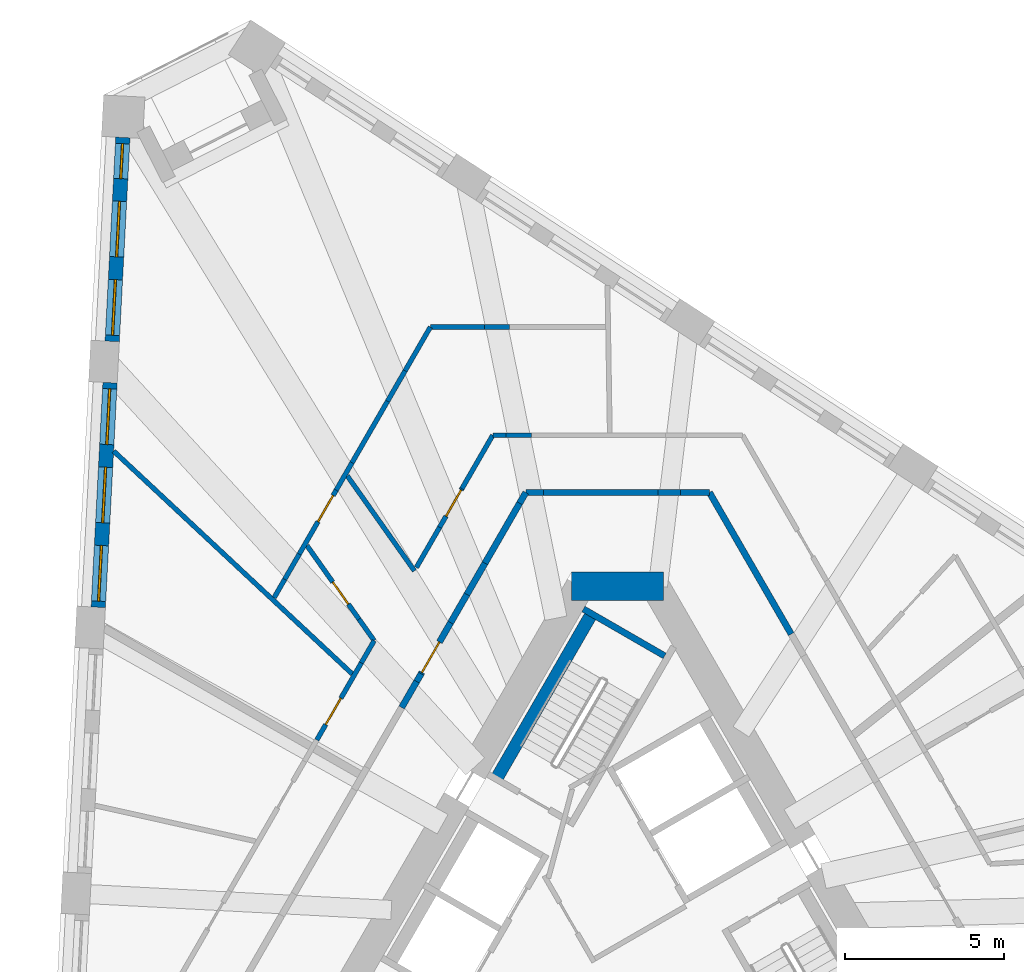
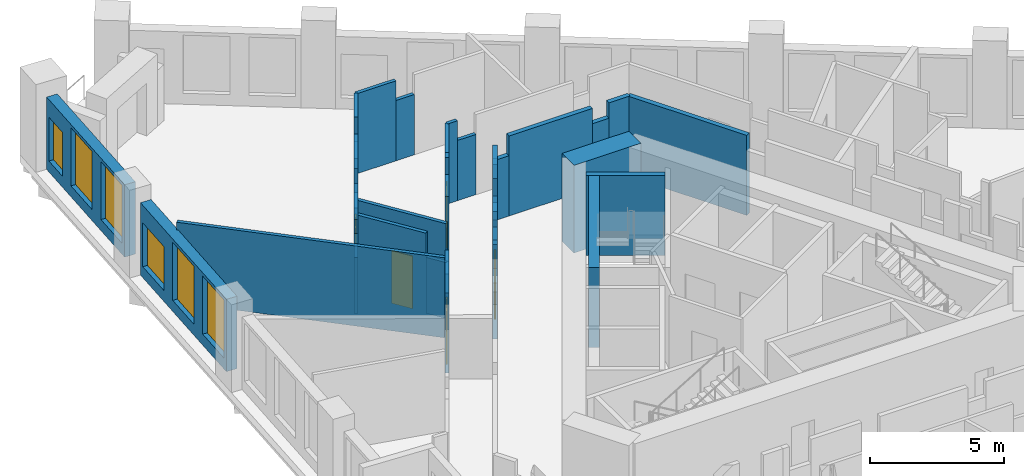
# One storey, part 7 of 13: 37 walls, 6 windows, 5 doors, 11 openings.
"""IFC4 building model written with IfcOpenShell, lengths in metres."""

from ifc_helpers import new_model, si_unit, direction, frame, frame_2d, origin, place, context, subcontext, project, spatial, polyline, rectangle, outline, extrude, material, layer, layer_set, type_object, element, fill, save


model = new_model("IFC4")

# Units and contexts
model_context = context("Model", 3, precision=1e-05, world=origin(), true_north=direction((0.0, 1.0)))
body_context = subcontext(model_context, "Body", "Model", "MODEL_VIEW")
ifc_project = project(units=[si_unit("LENGTHUNIT", "METRE"), si_unit("AREAUNIT", "SQUARE_METRE"), si_unit("VOLUMEUNIT", "CUBIC_METRE"), si_unit("PLANEANGLEUNIT", "RADIAN"), si_unit("MASSUNIT", "GRAM", prefix="KILO")], contexts=[model_context])

# Site, building, storey
site_placement = place(None, origin())
site = spatial("IfcSite", under=ifc_project, at=site_placement, CompositionType="ELEMENT")
building_placement = place(site_placement, origin())
building = spatial("IfcBuilding", under=site, at=building_placement, Name="Tramontana Tower", CompositionType="ELEMENT")
storey_placement = place(building_placement, frame((0.0, 0.0, 153.60009765625)))
storey = spatial("IfcBuildingStorey", under=building, at=storey_placement, Name="L35", CompositionType="ELEMENT", Elevation=153.60009765625)

# Walls
ifc_material_1 = material(Name="Concrete 70 MPa", Category="concrete")
ifc_layer_1 = layer(ifc_material_1, 0.89990234375)
ifc_layer_set_1 = layer_set([ifc_layer_1], Name="Core wall 900 70 MPa")
wall_type_1 = type_object("IfcWallType", Name="Core wall 900 70 MPa", PredefinedType="SHEAR", material=ifc_layer_set_1)
wall_1_placement = place(storey_placement, frame((1.443359375, 10.550048828125, 0.0), z_axis=(0.0, 0.0, 1.0), x_axis=(-1.0, 0.0, 0.0)))
element("IfcWall", 1, at=wall_1_placement, inside=storey, type_object=wall_type_1, Name="Core wall C0 L35", PredefinedType="SHEAR", context=body_context, shape_type="SweptSolid", body=[
    extrude(rectangle(XDim=2.88671875, YDim=0.89990234375, at=frame_2d((1.443359375, 0.0))), origin(), (0.0, 0.0, 1.0), 4.0),
])
ifc_material_2 = material(Name="Blockwork", Category="masonry")
ifc_layer_2 = layer(ifc_material_2, 0.199951171875)
ifc_layer_set_2 = layer_set([ifc_layer_2], Name="ENTRY WALL 200")
wall_type_2 = type_object("IfcWallType", Name="ENTRY WALL 200", PredefinedType="SOLIDWALL", material=ifc_layer_set_2)
wall_2_placement = place(storey_placement, frame((2.88671875, 13.5, 0.0), z_axis=(0.0, 0.0, 1.0), x_axis=(0.50000466804, -0.866022708674, 0.0)))
element("IfcWall", 2, at=wall_2_placement, inside=storey, type_object=wall_type_2, Name="Wall v32-ew0-0", PredefinedType="SOLIDWALL", context=body_context, shape_type="SweptSolid", body=[
    extrude(rectangle(XDim=5.14208984375, YDim=0.199951171875, at=frame_2d((2.571044921875, 0.0))), origin(), (0.0, 0.0, 1.0), 3.64990234375),
])
wall_3_placement = place(storey_placement, frame((-6.790283203125, 6.739013671875, 0.0), z_axis=(0.0, 0.0, 1.0), x_axis=(0.500118100521, 0.865957207679, 0.0)))
element("IfcWall", 3, at=wall_3_placement, inside=storey, type_object=wall_type_2, Name="Wall v32-ew4-5", PredefinedType="SOLIDWALL", context=body_context, shape_type="SweptSolid", body=[
    extrude(rectangle(XDim=0.943603515625, YDim=0.199951171875, at=frame_2d((0.4716796875, 0.0))), origin(), (0.0, 0.0, 1.0), 2.5498046875),
])
wall_4_placement = place(storey_placement, frame((-6.318359375, 7.55615234375, 0.0), z_axis=(0.0, 0.0, 1.0), x_axis=(0.499973348067, 0.866040790738, 0.0)))
element("IfcWall", 4, at=wall_4_placement, inside=storey, type_object=wall_type_2, Name="Wall v32-ew4-6", PredefinedType="SOLIDWALL", context=body_context, shape_type="SweptSolid", body=[
    extrude(rectangle(XDim=0.28076171875, YDim=0.199951171875, at=frame_2d((0.140380859375, 0.0))), origin(), (0.0, 0.0, 1.0), 3.64990234375),
])

# Wall, opening, door
wall_5_placement = place(storey_placement, frame((-6.177978515625, 7.79931640625, 0.0), z_axis=(0.0, 0.0, 1.0), x_axis=(0.499999386358, 0.86602575807, 0.0)))
wall_5 = element("IfcWall", 5, at=wall_5_placement, inside=storey, type_object=wall_type_2, Name="Wall v32-ew4-7", PredefinedType="SOLIDWALL", context=body_context, shape_type="SweptSolid", body=[
    extrude(outline(polyline([(0.0, 0.0), (1.85693359375, 0.0), (1.85693359375, 2.5498046875), (0.833251953125, 2.5498046875), (0.833251953125, 3.64990234375), (0.0, 3.64990234375), (0.0, 0.0)])), frame((0.0, 0.10009765625, 0.0), z_axis=(0.0, -1.0, 0.0), x_axis=(1.0, 0.0, 0.0)), (0.0, 0.0, 1.0), 0.199951171875),
])
opening_1_placement = place(wall_5_placement, frame((0.050048828125, 0.0, 0.0)))
opening_1 = element("IfcOpeningElement", 6, at=opening_1_placement, cuts=wall_5, Name="Opening B3C-21", PredefinedType="OPENING", context=body_context, shape_type="SweptSolid", body=[
    extrude(rectangle(XDim=1.10009765625, YDim=2.39990234375, at=frame_2d((0.550048828125, 1.199951171875))), frame((0.0, 0.10986328125, 0.0), z_axis=(0.0, -1.0, 0.0), x_axis=(1.0, 0.0, 0.0)), (0.0, 0.0, 1.0), 0.219970703125),
])
ifc_material_3 = material(Name="Painted timber", Category="wood")
door_type_1 = type_object("IfcDoorType", Name="DOOR ENTRY 1100", OperationType="SINGLE_SWING_LEFT", PredefinedType="DOOR", material=ifc_material_3)
door_1_placement = place(opening_1_placement, origin())
door_1 = element("IfcDoor", 7, at=door_1_placement, inside=storey, type_object=door_type_1, Name="Door B3C-21", OperationType="SINGLE_SWING_LEFT", OverallHeight=2.39990234375, OverallWidth=1.10009765625, PredefinedType="DOOR", context=body_context, shape_type="SweptSolid", body=[
    extrude(rectangle(XDim=1.10009765625, YDim=2.39990234375, at=frame_2d((0.550048828125, 1.199951171875))), frame((0.0, 0.02490234375, 0.0), z_axis=(0.0, -1.0, 0.0), x_axis=(1.0, 0.0, 0.0)), (0.0, 0.0, 1.0), 0.050048828125),
])
fill(opening_1, door_1)

# Walls
wall_6_placement = place(storey_placement, frame((-5.24951171875, 9.407470703125, 0.0), z_axis=(0.0, 0.0, 1.0), x_axis=(0.499991148707, 0.866030514021, 0.0)))
element("IfcWall", 8, at=wall_6_placement, inside=storey, type_object=wall_type_2, Name="Wall v32-ew4-8", PredefinedType="SOLIDWALL", context=body_context, shape_type="SweptSolid", body=[
    extrude(rectangle(XDim=1.0224609375, YDim=0.199951171875, at=frame_2d((0.51123046875, 0.0))), origin(), (0.0, 0.0, 1.0), 3.64990234375),
])
wall_7_placement = place(storey_placement, frame((-4.73828125, 10.29296875, 0.0), z_axis=(0.0, 0.0, 1.0), x_axis=(0.500001688065, 0.866024429177, 0.0)))
element("IfcWall", 9, at=wall_7_placement, inside=storey, type_object=wall_type_2, Name="Wall v32-ew4-9", PredefinedType="SOLIDWALL", context=body_context, shape_type="SweptSolid", body=[
    extrude(rectangle(XDim=1.13525390625, YDim=0.199951171875, at=frame_2d((0.567626953125, 0.0))), origin(), (0.0, 0.0, 1.0), 2.5498046875),
])
wall_8_placement = place(storey_placement, frame((-4.170654296875, 11.276123046875, 0.0), z_axis=(0.0, 0.0, 1.0), x_axis=(0.50001992892, 0.866013897511, 0.0)))
element("IfcWall", 10, at=wall_8_placement, inside=storey, type_object=wall_type_2, Name="Wall v32-ew4-10", PredefinedType="SOLIDWALL", context=body_context, shape_type="SweptSolid", body=[
    extrude(rectangle(XDim=2.1787109375, YDim=0.199951171875, at=frame_2d((1.08935546875, 0.0))), origin(), (0.0, 0.0, 1.0), 3.64990234375),
])
wall_9_placement = place(storey_placement, frame((-3.081298828125, 13.162841796875, 0.0), z_axis=(0.0, 0.0, 1.0), x_axis=(0.499849133735, 0.866112488944, 0.0)))
element("IfcWall", 11, at=wall_9_placement, inside=storey, type_object=wall_type_2, Name="Wall v32-ew4-11", PredefinedType="SOLIDWALL", context=body_context, shape_type="SweptSolid", body=[
    extrude(rectangle(XDim=0.38916015625, YDim=0.199951171875, at=frame_2d((0.194580078125, 0.0))), origin(), (0.0, 0.0, 1.0), 2.75),
])
wall_10_placement = place(storey_placement, frame((-2.88671875, 13.5, 0.0), z_axis=(0.0, 0.0, 1.0), x_axis=(1.0, 0.0, 0.0)))
element("IfcWall", 12, at=wall_10_placement, inside=storey, type_object=wall_type_2, Name="Wall v32-ew5-0", PredefinedType="SOLIDWALL", context=body_context, shape_type="SweptSolid", body=[
    extrude(rectangle(XDim=0.55322265625, YDim=0.199951171875, at=frame_2d((0.276611328125, 0.0))), origin(), (0.0, 0.0, 1.0), 2.75),
])
wall_11_placement = place(storey_placement, frame((-2.33349609375, 13.5, 0.0), z_axis=(0.0, 0.0, 1.0), x_axis=(1.0, 0.0, 0.0)))
element("IfcWall", 13, at=wall_11_placement, inside=storey, type_object=wall_type_2, Name="Wall v32-ew5-1", PredefinedType="SOLIDWALL", context=body_context, shape_type="SweptSolid", body=[
    extrude(rectangle(XDim=3.6025390625, YDim=0.199951171875, at=frame_2d((1.80126953125, 0.0))), origin(), (0.0, 0.0, 1.0), 3.64990234375),
])
wall_12_placement = place(storey_placement, frame((1.26904296875, 13.5, 0.0), z_axis=(0.0, 0.0, 1.0), x_axis=(1.0, 0.0, 0.0)))
element("IfcWall", 14, at=wall_12_placement, inside=storey, type_object=wall_type_2, Name="Wall v32-ew5-2", PredefinedType="SOLIDWALL", context=body_context, shape_type="SweptSolid", body=[
    extrude(rectangle(XDim=0.704833984375, YDim=0.199951171875, at=frame_2d((0.3525390625, 0.0))), origin(), (0.0, 0.0, 1.0), 2.949951171875),
])
wall_13_placement = place(storey_placement, frame((1.973876953125, 13.5, 0.0), z_axis=(0.0, 0.0, 1.0), x_axis=(1.0, 0.0, 0.0)))
element("IfcWall", 15, at=wall_13_placement, inside=storey, type_object=wall_type_2, Name="Wall v32-ew5-3", PredefinedType="SOLIDWALL", context=body_context, shape_type="SweptSolid", body=[
    extrude(rectangle(XDim=0.912841796875, YDim=0.199951171875, at=frame_2d((0.45654296875, 0.0))), origin(), (0.0, 0.0, 1.0), 3.64990234375),
])

# Wall, openings, windows
ifc_material_4 = material(Name="Precast concrete 60 MPa", Category="concrete")
ifc_layer_3 = layer(ifc_material_4, 0.449951171875)
ifc_layer_set_3 = layer_set([ifc_layer_3], Name="Precast concrete 60 MPa, 450 mm")
wall_type_3 = type_object("IfcWallType", Name="EW1 Stone-faced precast wall 450", PredefinedType="SOLIDWALL", material=ifc_layer_set_3)
wall_14_placement = place(storey_placement, frame((-15.5556640625, 24.66259765625, 0.0), z_axis=(0.0, 0.0, 1.0), x_axis=(-0.052313391961, -0.998630717043, 0.0)))
wall_14 = element("IfcWall", 16, at=wall_14_placement, inside=storey, type_object=wall_type_3, Name="External wall L35 face 0 bay 1", PredefinedType="SOLIDWALL", context=body_context, shape_type="SweptSolid", body=[
    extrude(rectangle(XDim=6.421630859375, YDim=0.449951171875, at=frame_2d((3.2109375, 0.0))), origin(), (0.0, 0.0, 1.0), 3.2998046875),
])
opening_2_placement = place(wall_14_placement, frame((0.1953125, 0.0, 0.5)))
opening_2 = element("IfcOpeningElement", 17, at=opening_2_placement, cuts=wall_14, Name="Opening N2L", PredefinedType="OPENING", context=body_context, shape_type="SweptSolid", body=[
    extrude(rectangle(XDim=1.10009765625, YDim=2.0, at=frame_2d((0.550048828125, 1.0))), frame((0.0, 0.23486328125, 0.0), z_axis=(0.0, -1.0, 0.0), x_axis=(1.0, 0.0, 0.0)), (0.0, 0.0, 1.0), 0.469970703125),
])
opening_3_placement = place(wall_14_placement, frame((2.0107421875, 0.0, 0.5)))
opening_3 = element("IfcOpeningElement", 18, at=opening_3_placement, cuts=wall_14, Name="Opening M2", PredefinedType="OPENING", context=body_context, shape_type="SweptSolid", body=[
    extrude(rectangle(XDim=1.75, YDim=2.64990234375, at=frame_2d((0.875, 1.324951171875))), frame((0.0, 0.23486328125, 0.0), z_axis=(0.0, -1.0, 0.0), x_axis=(1.0, 0.0, 0.0)), (0.0, 0.0, 1.0), 0.469970703125),
])
opening_4_placement = place(wall_14_placement, frame((4.476318359375, 0.0, 0.5)))
opening_4 = element("IfcOpeningElement", 19, at=opening_4_placement, cuts=wall_14, Name="Opening M2", PredefinedType="OPENING", context=body_context, shape_type="SweptSolid", body=[
    extrude(rectangle(XDim=1.75, YDim=2.64990234375, at=frame_2d((0.875, 1.324951171875))), frame((0.0, 0.23486328125, 0.0), z_axis=(0.0, -1.0, 0.0), x_axis=(1.0, 0.0, 0.0)), (0.0, 0.0, 1.0), 0.469970703125),
])
ifc_material_5 = material(Name="Aluminum frame, double glazing unit", Category="aluminium")
window_type_1 = type_object("IfcWindowType", Name="M2 Window 1.75 x 2.65", PartitioningType="SINGLE_PANEL", PredefinedType="WINDOW", material=ifc_material_5)
window_1_placement = place(opening_3_placement, origin())
window_1 = element("IfcWindow", 20, at=window_1_placement, inside=storey, type_object=window_type_1, Name="Window M2 L35 face 0 module 2", OverallHeight=2.64990234375, OverallWidth=1.75, PartitioningType="SINGLE_PANEL", PredefinedType="WINDOW", context=body_context, shape_type="SweptSolid", body=[
    extrude(rectangle(XDim=1.75, YDim=2.64990234375, at=frame_2d((0.875, 1.324951171875))), frame((0.0, 0.030029296875, 0.0), z_axis=(0.0, -1.0, 0.0), x_axis=(1.0, 0.0, 0.0)), (0.0, 0.0, 1.0), 0.06005859375),
])
fill(opening_3, window_1)
window_2_placement = place(opening_4_placement, origin())
window_2 = element("IfcWindow", 21, at=window_2_placement, inside=storey, type_object=window_type_1, Name="Window M2 L35 face 0 module 3", OverallHeight=2.64990234375, OverallWidth=1.75, PartitioningType="SINGLE_PANEL", PredefinedType="WINDOW", context=body_context, shape_type="SweptSolid", body=[
    extrude(rectangle(XDim=1.75, YDim=2.64990234375, at=frame_2d((0.875, 1.324951171875))), frame((0.0, 0.030029296875, 0.0), z_axis=(0.0, -1.0, 0.0), x_axis=(1.0, 0.0, 0.0)), (0.0, 0.0, 1.0), 0.06005859375),
])
fill(opening_4, window_2)
ifc_material_6 = material(Name="Aluminum frame, double glazing unit", Category="aluminium")
window_type_2 = type_object("IfcWindowType", Name="N2L Window 1.1 x 2", PartitioningType="SINGLE_PANEL", PredefinedType="WINDOW", material=ifc_material_6)
window_3_placement = place(opening_2_placement, origin())
window_3 = element("IfcWindow", 22, at=window_3_placement, inside=storey, type_object=window_type_2, Name="Window N2L L35 face 0 module 1", OverallHeight=2.0, OverallWidth=1.10009765625, PartitioningType="SINGLE_PANEL", PredefinedType="WINDOW", context=body_context, shape_type="SweptSolid", body=[
    extrude(rectangle(XDim=1.10009765625, YDim=2.0, at=frame_2d((0.550048828125, 1.0))), frame((0.0, 0.030029296875, 0.0), z_axis=(0.0, -1.0, 0.0), x_axis=(1.0, 0.0, 0.0)), (0.0, 0.0, 1.0), 0.06005859375),
])
fill(opening_2, window_3)

wall_15_placement = place(storey_placement, frame((-15.959716796875, 16.95166015625, 0.0), z_axis=(0.0, 0.0, 1.0), x_axis=(-0.052337766399, -0.998629439887, 0.0)))
wall_15 = element("IfcWall", 23, at=wall_15_placement, inside=storey, type_object=wall_type_3, Name="External wall L35 face 0 bay 2", PredefinedType="SOLIDWALL", context=body_context, shape_type="SweptSolid", body=[
    extrude(rectangle(XDim=7.07177734375, YDim=0.449951171875, at=frame_2d((3.535888671875, 0.0))), origin(), (0.0, 0.0, 1.0), 3.2998046875),
])
opening_5_placement = place(wall_15_placement, frame((0.1953125, 0.0, 0.5)))
opening_5 = element("IfcOpeningElement", 24, at=opening_5_placement, cuts=wall_15, Name="Opening M2L", PredefinedType="OPENING", context=body_context, shape_type="SweptSolid", body=[
    extrude(rectangle(XDim=1.75, YDim=2.0, at=frame_2d((0.875, 1.0))), frame((0.0, 0.23486328125, 0.0), z_axis=(0.0, -1.0, 0.0), x_axis=(1.0, 0.0, 0.0)), (0.0, 0.0, 1.0), 0.469970703125),
])
opening_6_placement = place(wall_15_placement, frame((2.660888671875, 0.0, 0.5)))
opening_6 = element("IfcOpeningElement", 25, at=opening_6_placement, cuts=wall_15, Name="Opening M2", PredefinedType="OPENING", context=body_context, shape_type="SweptSolid", body=[
    extrude(rectangle(XDim=1.75, YDim=2.64990234375, at=frame_2d((0.875, 1.324951171875))), frame((0.0, 0.23486328125, 0.0), z_axis=(0.0, -1.0, 0.0), x_axis=(1.0, 0.0, 0.0)), (0.0, 0.0, 1.0), 0.469970703125),
])
opening_7_placement = place(wall_15_placement, frame((5.126220703125, 0.0, 0.5)))
opening_7 = element("IfcOpeningElement", 26, at=opening_7_placement, cuts=wall_15, Name="Opening M2", PredefinedType="OPENING", context=body_context, shape_type="SweptSolid", body=[
    extrude(rectangle(XDim=1.75, YDim=2.64990234375, at=frame_2d((0.875, 1.324951171875))), frame((0.0, 0.23486328125, 0.0), z_axis=(0.0, -1.0, 0.0), x_axis=(1.0, 0.0, 0.0)), (0.0, 0.0, 1.0), 0.469970703125),
])
window_4_placement = place(opening_6_placement, origin())
window_4 = element("IfcWindow", 27, at=window_4_placement, inside=storey, type_object=window_type_1, Name="Window M2 L35 face 0 module 5", OverallHeight=2.64990234375, OverallWidth=1.75, PartitioningType="SINGLE_PANEL", PredefinedType="WINDOW", context=body_context, shape_type="SweptSolid", body=[
    extrude(rectangle(XDim=1.75, YDim=2.64990234375, at=frame_2d((0.875, 1.324951171875))), frame((0.0, 0.030029296875, 0.0), z_axis=(0.0, -1.0, 0.0), x_axis=(1.0, 0.0, 0.0)), (0.0, 0.0, 1.0), 0.06005859375),
])
fill(opening_6, window_4)
window_5_placement = place(opening_7_placement, origin())
window_5 = element("IfcWindow", 28, at=window_5_placement, inside=storey, type_object=window_type_1, Name="Window M2 L35 face 0 module 6", OverallHeight=2.64990234375, OverallWidth=1.75, PartitioningType="SINGLE_PANEL", PredefinedType="WINDOW", context=body_context, shape_type="SweptSolid", body=[
    extrude(rectangle(XDim=1.75, YDim=2.64990234375, at=frame_2d((0.875, 1.324951171875))), frame((0.0, 0.030029296875, 0.0), z_axis=(0.0, -1.0, 0.0), x_axis=(1.0, 0.0, 0.0)), (0.0, 0.0, 1.0), 0.06005859375),
])
fill(opening_7, window_5)
ifc_material_7 = material(Name="Aluminum frame, double glazing unit", Category="aluminium")
window_type_3 = type_object("IfcWindowType", Name="M2L Window 1.75 x 2", PartitioningType="SINGLE_PANEL", PredefinedType="WINDOW", material=ifc_material_7)
window_6_placement = place(opening_5_placement, origin())
window_6 = element("IfcWindow", 29, at=window_6_placement, inside=storey, type_object=window_type_3, Name="Window M2L L35 face 0 module 4", OverallHeight=2.0, OverallWidth=1.75, PartitioningType="SINGLE_PANEL", PredefinedType="WINDOW", context=body_context, shape_type="SweptSolid", body=[
    extrude(rectangle(XDim=1.75, YDim=2.0, at=frame_2d((0.875, 1.0))), frame((0.0, 0.030029296875, 0.0), z_axis=(0.0, -1.0, 0.0), x_axis=(1.0, 0.0, 0.0)), (0.0, 0.0, 1.0), 0.06005859375),
])
fill(opening_5, window_6)

# Wall, opening, door
ifc_material_8 = material(Name="Gypsum board partition")
ifc_layer_4 = layer(ifc_material_8, 0.14990234375)
ifc_layer_set_4 = layer_set([ifc_layer_4], Name="PARTITION 150")
wall_type_4 = type_object("IfcWallType", Name="PARTITION 150", PredefinedType="PARTITIONING", material=ifc_layer_set_4)
wall_16_placement = place(storey_placement, frame((-9.457763671875, 5.71875, 0.0), z_axis=(0.0, 0.0, 1.0), x_axis=(0.499996941814, 0.866027169422, 0.0)))
wall_16 = element("IfcWall", 30, at=wall_16_placement, inside=storey, type_object=wall_type_4, Name="Wall v32-pw02-4", PredefinedType="PARTITIONING", context=body_context, shape_type="SweptSolid", body=[
    extrude(rectangle(XDim=2.79736328125, YDim=0.14990234375, at=frame_2d((1.398681640625, 0.0))), origin(), (0.0, 0.0, 1.0), 3.64990234375),
])
opening_8_placement = place(wall_16_placement, frame((0.560302734375, 0.0, 0.0)))
opening_8 = element("IfcOpeningElement", 31, at=opening_8_placement, cuts=wall_16, Name="Opening B3C-05", PredefinedType="OPENING", context=body_context, shape_type="SweptSolid", body=[
    extrude(rectangle(XDim=0.949951171875, YDim=2.39990234375, at=frame_2d((0.47509765625, 1.199951171875))), frame((0.0, 0.0849609375, 0.0), z_axis=(0.0, -1.0, 0.0), x_axis=(1.0, 0.0, 0.0)), (0.0, 0.0, 1.0), 0.169921875),
])
ifc_material_9 = material(Name="Painted timber", Category="wood")
door_type_2 = type_object("IfcDoorType", Name="DOOR ROOM 950", OperationType="SINGLE_SWING_LEFT", PredefinedType="DOOR", material=ifc_material_9)
door_2_placement = place(opening_8_placement, origin())
door_2 = element("IfcDoor", 32, at=door_2_placement, inside=storey, type_object=door_type_2, Name="Door B3C-05", OperationType="SINGLE_SWING_LEFT", OverallHeight=2.39990234375, OverallWidth=0.949951171875, PredefinedType="DOOR", context=body_context, shape_type="SweptSolid", body=[
    extrude(rectangle(XDim=0.949951171875, YDim=2.39990234375, at=frame_2d((0.47509765625, 1.199951171875))), frame((0.0, 0.02490234375, 0.0), z_axis=(0.0, -1.0, 0.0), x_axis=(1.0, 0.0, 0.0)), (0.0, 0.0, 1.0), 0.050048828125),
])
fill(opening_8, door_2)

# Walls
wall_17_placement = place(storey_placement, frame((-8.05908203125, 8.141357421875, 0.0), z_axis=(0.0, 0.0, 1.0), x_axis=(0.500071185598, 0.865984300859, 0.0)))
element("IfcWall", 33, at=wall_17_placement, inside=storey, type_object=wall_type_4, Name="Wall v32-pw02-5", PredefinedType="PARTITIONING", context=body_context, shape_type="SweptSolid", body=[
    extrude(rectangle(XDim=0.80810546875, YDim=0.14990234375, at=frame_2d((0.404052734375, 0.0))), origin(), (0.0, 0.0, 1.0), 2.5498046875),
])
wall_18_placement = place(storey_placement, frame((-10.80126953125, 10.191650390625, 0.0), z_axis=(0.0, 0.0, 1.0), x_axis=(0.499923391538, 0.866069629183, 0.0)))
element("IfcWall", 34, at=wall_18_placement, inside=storey, type_object=wall_type_4, Name="Wall v32-pw06-0", PredefinedType="PARTITIONING", context=body_context, shape_type="SweptSolid", body=[
    extrude(rectangle(XDim=0.666015625, YDim=0.14990234375, at=frame_2d((0.3330078125, 0.0))), origin(), (0.0, 0.0, 1.0), 3.64990234375),
])
wall_19_placement = place(storey_placement, frame((-10.46826171875, 10.7685546875, 0.0), z_axis=(0.0, 0.0, 1.0), x_axis=(0.500060322201, 0.865990573944, 0.0)))
element("IfcWall", 35, at=wall_19_placement, inside=storey, type_object=wall_type_4, Name="Wall v32-pw06-1", PredefinedType="PARTITIONING", context=body_context, shape_type="SweptSolid", body=[
    extrude(rectangle(XDim=0.91748046875, YDim=0.14990234375, at=frame_2d((0.458740234375, 0.0))), origin(), (0.0, 0.0, 1.0), 2.5498046875),
])

# Wall, opening, door
wall_20_placement = place(storey_placement, frame((-10.009521484375, 11.56298828125, 0.0), z_axis=(0.0, 0.0, 1.0), x_axis=(0.499986579711, 0.866033151853, 0.0)))
wall_20 = element("IfcWall", 36, at=wall_20_placement, inside=storey, type_object=wall_type_4, Name="Wall v32-pw06-2", PredefinedType="PARTITIONING", context=body_context, shape_type="SweptSolid", body=[
    extrude(rectangle(XDim=2.3203125, YDim=0.14990234375, at=frame_2d((1.16015625, 0.0))), origin(), (0.0, 0.0, 1.0), 3.64990234375),
])
opening_9_placement = place(wall_20_placement, frame((1.178466796875, 0.0, 0.0)))
opening_9 = element("IfcOpeningElement", 37, at=opening_9_placement, cuts=wall_20, Name="Opening B3C-03", PredefinedType="OPENING", context=body_context, shape_type="SweptSolid", body=[
    extrude(rectangle(XDim=0.949951171875, YDim=2.39990234375, at=frame_2d((0.47509765625, 1.199951171875))), frame((0.0, 0.0849609375, 0.0), z_axis=(0.0, -1.0, 0.0), x_axis=(1.0, 0.0, 0.0)), (0.0, 0.0, 1.0), 0.169921875),
])
door_3_placement = place(opening_9_placement, origin())
door_3 = element("IfcDoor", 38, at=door_3_placement, inside=storey, type_object=door_type_2, Name="Door B3C-03", OperationType="SINGLE_SWING_LEFT", OverallHeight=2.39990234375, OverallWidth=0.949951171875, PredefinedType="DOOR", context=body_context, shape_type="SweptSolid", body=[
    extrude(rectangle(XDim=0.949951171875, YDim=2.39990234375, at=frame_2d((0.47509765625, 1.199951171875))), frame((0.0, 0.02490234375, 0.0), z_axis=(0.0, -1.0, 0.0), x_axis=(1.0, 0.0, 0.0)), (0.0, 0.0, 1.0), 0.050048828125),
])
fill(opening_9, door_3)

# Walls
wall_21_placement = place(storey_placement, frame((-8.849365234375, 13.572509765625, 0.0), z_axis=(0.0, 0.0, 1.0), x_axis=(0.499991453095, 0.866030338286, 0.0)))
element("IfcWall", 39, at=wall_21_placement, inside=storey, type_object=wall_type_4, Name="Wall v32-pw06-3", PredefinedType="PARTITIONING", context=body_context, shape_type="SweptSolid", body=[
    extrude(rectangle(XDim=0.9951171875, YDim=0.14990234375, at=frame_2d((0.49755859375, 0.0))), origin(), (0.0, 0.0, 1.0), 2.5498046875),
])
wall_22_placement = place(storey_placement, frame((-8.351806640625, 14.434326171875, 0.0), z_axis=(0.0, 0.0, 1.0), x_axis=(0.500040905051, 0.866001785954, 0.0)))
element("IfcWall", 40, at=wall_22_placement, inside=storey, type_object=wall_type_4, Name="Wall v32-pw06-4", PredefinedType="PARTITIONING", context=body_context, shape_type="SweptSolid", body=[
    extrude(rectangle(XDim=2.234130859375, YDim=0.14990234375, at=frame_2d((1.1171875, 0.0))), origin(), (0.0, 0.0, 1.0), 3.64990234375),
])
wall_23_placement = place(storey_placement, frame((-7.234619140625, 16.369140625, 0.0), z_axis=(0.0, 0.0, 1.0), x_axis=(0.499850094852, 0.866111934265, 0.0)))
element("IfcWall", 41, at=wall_23_placement, inside=storey, type_object=wall_type_4, Name="Wall v32-pw06-5", PredefinedType="PARTITIONING", context=body_context, shape_type="SweptSolid", body=[
    extrude(rectangle(XDim=1.103759765625, YDim=0.14990234375, at=frame_2d((0.5517578125, 0.0))), origin(), (0.0, 0.0, 1.0), 2.5498046875),
])
wall_24_placement = place(storey_placement, frame((-6.682861328125, 17.3251953125, 0.0), z_axis=(0.0, 0.0, 1.0), x_axis=(0.500108487576, 0.865962759392, 0.0)))
element("IfcWall", 42, at=wall_24_placement, inside=storey, type_object=wall_type_4, Name="Wall v32-pw06-6", PredefinedType="PARTITIONING", context=body_context, shape_type="SweptSolid", body=[
    extrude(rectangle(XDim=1.587646484375, YDim=0.14990234375, at=frame_2d((0.7939453125, 0.0))), origin(), (0.0, 0.0, 1.0), 3.64990234375),
])
wall_25_placement = place(storey_placement, frame((-8.501708984375, 14.02490234375, 0.0), z_axis=(0.0, 0.0, 1.0), x_axis=(0.577067936436, -0.81669614713, 0.0)))
element("IfcWall", 43, at=wall_25_placement, inside=storey, type_object=wall_type_4, Name="Wall v32-pw07-0", PredefinedType="PARTITIONING", context=body_context, shape_type="SweptSolid", body=[
    extrude(rectangle(XDim=3.66162109375, YDim=0.14990234375, at=frame_2d((1.830810546875, 0.0))), origin(), (0.0, 0.0, 1.0), 2.5498046875),
])
wall_26_placement = place(storey_placement, frame((-8.345458984375, 7.795166015625, 0.0), z_axis=(0.0, 0.0, 1.0), x_axis=(-0.730777599557, 0.68261563122, 0.0)))
element("IfcWall", 44, at=wall_26_placement, inside=storey, type_object=wall_type_4, Name="Wall v32-pw08", PredefinedType="PARTITIONING", context=body_context, shape_type="SweptSolid", body=[
    extrude(rectangle(XDim=10.26513671875, YDim=0.14990234375, at=frame_2d((5.132568359375, 0.0))), origin(), (0.0, 0.0, 1.0), 3.64990234375),
])
wall_27_placement = place(storey_placement, frame((-7.655029296875, 8.841064453125, 0.0), z_axis=(0.0, 0.0, 1.0), x_axis=(-0.577194939783, 0.816606393245, 0.0)))
element("IfcWall", 45, at=wall_27_placement, inside=storey, type_object=wall_type_4, Name="Wall v32-pw10-0", PredefinedType="PARTITIONING", context=body_context, shape_type="SweptSolid", body=[
    extrude(rectangle(XDim=0.823974609375, YDim=0.14990234375, at=frame_2d((0.412109375, 0.0))), origin(), (0.0, 0.0, 1.0), 2.5498046875),
])

# Wall, opening, door
wall_28_placement = place(storey_placement, frame((-8.130615234375, 9.513916015625, 0.0), z_axis=(0.0, 0.0, 1.0), x_axis=(-0.577071604889, 0.816693555032, 0.0)))
wall_28 = element("IfcWall", 46, at=wall_28_placement, inside=storey, type_object=wall_type_4, Name="Wall v32-pw10-1", PredefinedType="PARTITIONING", context=body_context, shape_type="SweptSolid", body=[
    extrude(rectangle(XDim=2.83740234375, YDim=0.14990234375, at=frame_2d((1.418701171875, 0.0))), origin(), (0.0, 0.0, 1.0), 3.64990234375),
])
opening_10_placement = place(wall_28_placement, frame((0.581787109375, 0.0, 0.0)))
opening_10 = element("IfcOpeningElement", 47, at=opening_10_placement, cuts=wall_28, Name="Opening B3C-02", PredefinedType="OPENING", context=body_context, shape_type="SweptSolid", body=[
    extrude(rectangle(XDim=0.85009765625, YDim=2.39990234375, at=frame_2d((0.425048828125, 1.199951171875))), frame((0.0, 0.0849609375, 0.0), z_axis=(0.0, -1.0, 0.0), x_axis=(1.0, 0.0, 0.0)), (0.0, 0.0, 1.0), 0.169921875),
])
ifc_material_10 = material(Name="Painted timber", Category="wood")
door_type_3 = type_object("IfcDoorType", Name="DOOR BATH 850", OperationType="SINGLE_SWING_LEFT", PredefinedType="DOOR", material=ifc_material_10)
door_4_placement = place(opening_10_placement, origin())
door_4 = element("IfcDoor", 48, at=door_4_placement, inside=storey, type_object=door_type_3, Name="Door B3C-02", OperationType="SINGLE_SWING_RIGHT", OverallHeight=2.39990234375, OverallWidth=0.85009765625, PredefinedType="DOOR", context=body_context, shape_type="SweptSolid", body=[
    extrude(rectangle(XDim=0.85009765625, YDim=2.39990234375, at=frame_2d((0.425048828125, 1.199951171875))), frame((0.0, 0.02490234375, 0.0), z_axis=(0.0, -1.0, 0.0), x_axis=(1.0, 0.0, 0.0)), (0.0, 0.0, 1.0), 0.050048828125),
])
fill(opening_10, door_4)

# Wall
wall_29_placement = place(storey_placement, frame((-6.328125, 11.139404296875, 0.0), z_axis=(0.0, 0.0, 1.0), x_axis=(0.499929700969, 0.866065987145, 0.0)))
element("IfcWall", 49, at=wall_29_placement, inside=storey, type_object=wall_type_4, Name="Wall v32-pw11-1", PredefinedType="PARTITIONING", context=body_context, shape_type="SweptSolid", body=[
    extrude(rectangle(XDim=1.461669921875, YDim=0.14990234375, at=frame_2d((0.73095703125, 0.0))), origin(), (0.0, 0.0, 1.0), 3.64990234375),
])

# Wall, opening, door
wall_30_placement = place(storey_placement, frame((-5.597412109375, 12.4052734375, 0.0), z_axis=(0.0, 0.0, 1.0), x_axis=(0.500138618964, 0.865945357295, 0.0)))
wall_30 = element("IfcWall", 50, at=wall_30_placement, inside=storey, type_object=wall_type_4, Name="Wall v32-pw11-2", PredefinedType="PARTITIONING", context=body_context, shape_type="SweptSolid", body=[
    extrude(outline(polyline([(0.0, 0.0), (1.40478515625, 0.0), (1.405029296875, 3.64990234375), (1.103759765625, 3.64990234375), (1.103759765625, 2.5498046875), (0.0, 2.5498046875), (0.0, 0.0)])), frame((0.0, 0.074951171875, 0.0), z_axis=(0.0, -1.0, 0.0), x_axis=(1.0, 0.0, 0.0)), (0.0, 0.0, 1.0), 0.14990234375),
])
opening_11_placement = place(wall_30_placement, frame((0.405029296875, 0.0, 0.0)))
opening_11 = element("IfcOpeningElement", 51, at=opening_11_placement, cuts=wall_30, Name="Opening B3C-01", PredefinedType="OPENING", context=body_context, shape_type="SweptSolid", body=[
    extrude(rectangle(XDim=0.949951171875, YDim=2.39990234375, at=frame_2d((0.47509765625, 1.199951171875))), frame((0.0, 0.0849609375, 0.0), z_axis=(0.0, -1.0, 0.0), x_axis=(1.0, 0.0, 0.0)), (0.0, 0.0, 1.0), 0.169921875),
])
door_5_placement = place(opening_11_placement, origin())
door_5 = element("IfcDoor", 52, at=door_5_placement, inside=storey, type_object=door_type_2, Name="Door B3C-01", OperationType="SINGLE_SWING_LEFT", OverallHeight=2.39990234375, OverallWidth=0.949951171875, PredefinedType="DOOR", context=body_context, shape_type="SweptSolid", body=[
    extrude(rectangle(XDim=0.949951171875, YDim=2.39990234375, at=frame_2d((0.47509765625, 1.199951171875))), frame((0.0, 0.02490234375, 0.0), z_axis=(0.0, -1.0, 0.0), x_axis=(1.0, 0.0, 0.0)), (0.0, 0.0, 1.0), 0.050048828125),
])
fill(opening_11, door_5)

# Walls
wall_31_placement = place(storey_placement, frame((-4.894775390625, 13.621826171875, 0.0), z_axis=(0.0, 0.0, 1.0), x_axis=(0.499933309731, 0.866063904005, 0.0)))
element("IfcWall", 53, at=wall_31_placement, inside=storey, type_object=wall_type_4, Name="Wall v32-pw11-3", PredefinedType="PARTITIONING", context=body_context, shape_type="SweptSolid", body=[
    extrude(rectangle(XDim=1.937744140625, YDim=0.14990234375, at=frame_2d((0.96875, 0.0))), origin(), (0.0, 0.0, 1.0), 3.64990234375),
])
wall_32_placement = place(storey_placement, frame((-5.888916015625, 18.699951171875, 0.0), z_axis=(0.0, 0.0, 1.0), x_axis=(1.0, 0.0, 0.0)))
element("IfcWall", 54, at=wall_32_placement, inside=storey, type_object=wall_type_4, Name="Wall v32-pw13-0", PredefinedType="PARTITIONING", context=body_context, shape_type="SweptSolid", body=[
    extrude(rectangle(XDim=1.69580078125, YDim=0.14990234375, at=frame_2d((0.847900390625, 0.0))), origin(), (0.0, 0.0, 1.0), 3.64990234375),
])
wall_33_placement = place(storey_placement, frame((-4.193115234375, 18.699951171875, 0.0), z_axis=(0.0, 0.0, 1.0), x_axis=(1.0, 0.0, 0.0)))
element("IfcWall", 55, at=wall_33_placement, inside=storey, type_object=wall_type_4, Name="Wall v32-pw13-1", PredefinedType="PARTITIONING", context=body_context, shape_type="SweptSolid", body=[
    extrude(rectangle(XDim=0.790771484375, YDim=0.14990234375, at=frame_2d((0.3955078125, 0.0))), origin(), (0.0, 0.0, 1.0), 2.75),
])
wall_34_placement = place(storey_placement, frame((-3.926025390625, 15.300048828125, 0.0), z_axis=(0.0, 0.0, 1.0), x_axis=(1.0, 0.0, 0.0)))
element("IfcWall", 56, at=wall_34_placement, inside=storey, type_object=wall_type_4, Name="Wall v32-pw14-0", PredefinedType="PARTITIONING", context=body_context, shape_type="SweptSolid", body=[
    extrude(rectangle(XDim=0.42333984375, YDim=0.14990234375, at=frame_2d((0.211669921875, 0.0))), origin(), (0.0, 0.0, 1.0), 3.64990234375),
])
wall_35_placement = place(storey_placement, frame((-3.502685546875, 15.300048828125, 0.0), z_axis=(0.0, 0.0, 1.0), x_axis=(1.0, 0.0, 0.0)))
element("IfcWall", 57, at=wall_35_placement, inside=storey, type_object=wall_type_4, Name="Wall v32-pw14-1", PredefinedType="PARTITIONING", context=body_context, shape_type="SweptSolid", body=[
    extrude(rectangle(XDim=0.791015625, YDim=0.14990234375, at=frame_2d((0.3955078125, 0.0))), origin(), (0.0, 0.0, 1.0), 2.75),
])
ifc_material_11 = material(Name="Concrete 70 MPa", Category="concrete")
ifc_layer_5 = layer(ifc_material_11, 0.39990234375)
ifc_layer_set_5 = layer_set([ifc_layer_5], Name="Concrete 70 MPa, 400 mm")
wall_type_5 = type_object("IfcWallType", Name="RC SHAFT BACK WALL 400", PredefinedType="SOLIDWALL", material=ifc_layer_set_5)
wall_36_placement = place(storey_placement, frame((-0.766357421875, 9.7724609375, 0.0), z_axis=(0.0, 0.0, 1.0), x_axis=(-0.500009909098, -0.866019682689, 0.0)))
element("IfcWall", 58, at=wall_36_placement, inside=storey, type_object=wall_type_5, Name="Wall st1-back", PredefinedType="SOLIDWALL", context=body_context, shape_type="SweptSolid", body=[
    extrude(rectangle(XDim=6.199951171875, YDim=0.39990234375, at=frame_2d((3.10009765625, 0.0))), origin(), (0.0, 0.0, 1.0), 3.64990234375),
])
ifc_material_12 = material(Name="Concrete 70 MPa", Category="concrete")
ifc_layer_6 = layer(ifc_material_12, 0.199951171875)
ifc_layer_set_6 = layer_set([ifc_layer_6], Name="Concrete 70 MPa, 200 mm")
wall_type_6 = type_object("IfcWallType", Name="RC STAIR AND SHAFT WALL 200", PredefinedType="SOLIDWALL", material=ifc_layer_set_6)
wall_37_placement = place(storey_placement, frame((1.478515625, 8.36083984375, 0.0), z_axis=(0.0, 0.0, 1.0), x_axis=(-0.866003658127, 0.500037662692, 0.0)))
element("IfcWall", 59, at=wall_37_placement, inside=storey, type_object=wall_type_6, Name="Wall st1-far", PredefinedType="SOLIDWALL", context=body_context, shape_type="SweptSolid", body=[
    extrude(rectangle(XDim=2.949951171875, YDim=0.199951171875, at=frame_2d((1.47509765625, 0.0))), origin(), (0.0, 0.0, 1.0), 3.64990234375),
])

save(model, "model.ifc")
